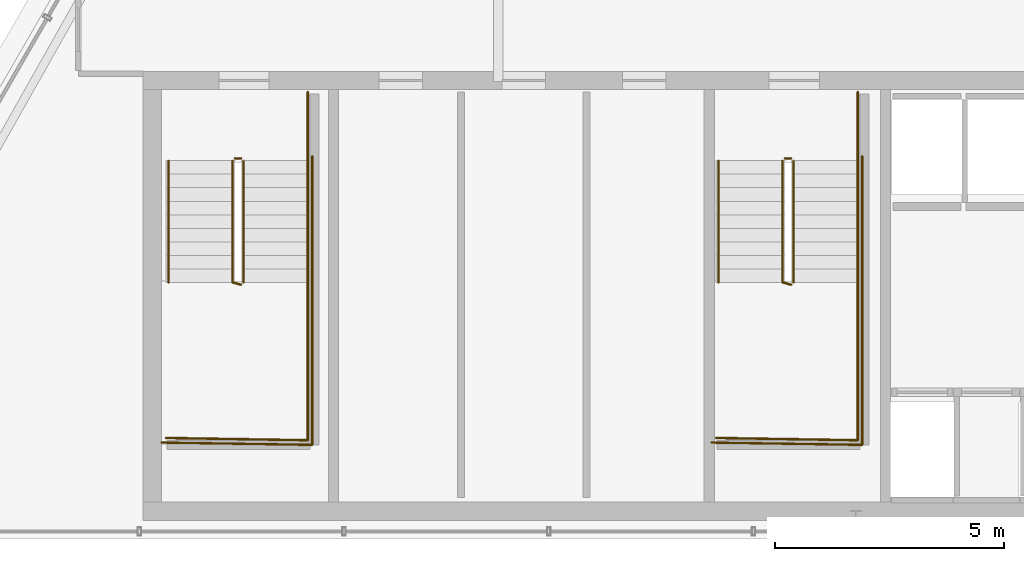
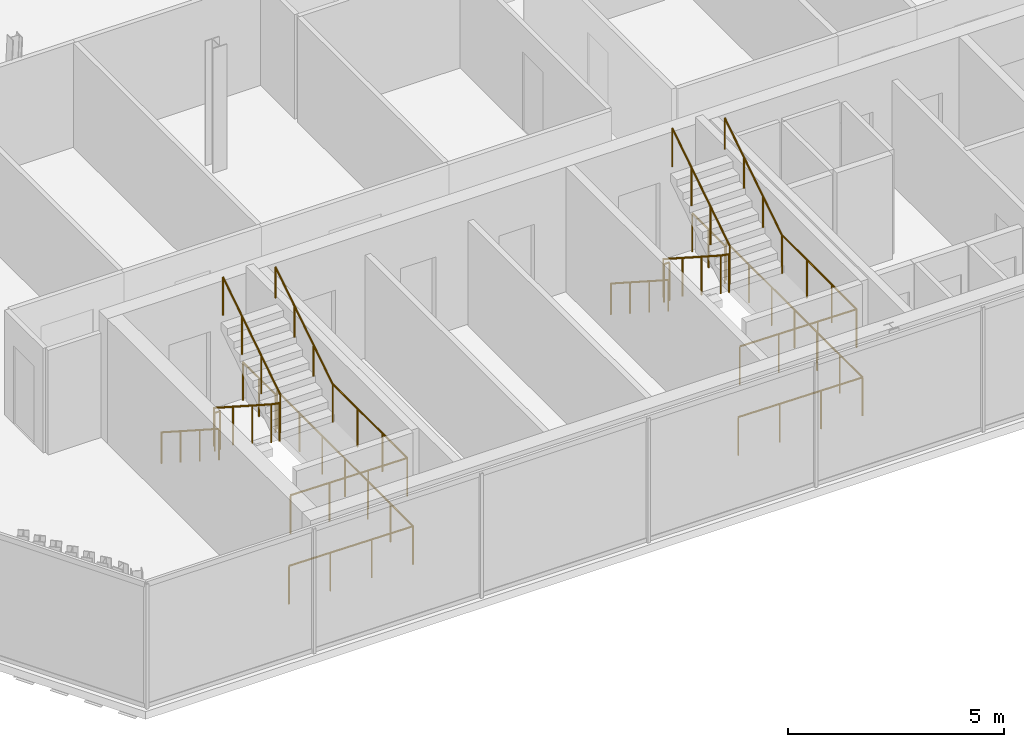
# One storey, part 30 of 32: 16 railings.
"""IFC4 building model written with IfcOpenShell, lengths in metres."""

from ifc_helpers import new_model, si_unit, direction, frame, origin, origin_2d, place, context, subcontext, project, spatial, circle, extrude, material, layer, layer_set, type_object, element, save


model = new_model("IFC4")

# Units and contexts
model_context = context("Model", 3, precision=1e-05, world=origin(), true_north=direction((0.0, 1.0)))
body_context = subcontext(model_context, "Body", "Model", "MODEL_VIEW")
ifc_project = project(units=[si_unit("LENGTHUNIT", "METRE"), si_unit("AREAUNIT", "SQUARE_METRE"), si_unit("VOLUMEUNIT", "CUBIC_METRE"), si_unit("PLANEANGLEUNIT", "RADIAN"), si_unit("MASSUNIT", "GRAM", prefix="KILO")], contexts=[model_context])

# Site, building, storey
site_placement = place(None, origin())
site = spatial("IfcSite", under=ifc_project, at=site_placement, CompositionType="ELEMENT")
building_placement = place(site_placement, origin())
building = spatial("IfcBuilding", under=site, at=building_placement, Name="Ndaravel Arena Tower", CompositionType="ELEMENT")
storey_placement = place(building_placement, frame((0.0, 0.0, 294.699951171875)))
storey = spatial("IfcBuildingStorey", under=building, at=storey_placement, Name="L72", CompositionType="ELEMENT", Elevation=294.699951171875)

# Railings
ifc_material_1 = material(Name="Steel S355", Category="steel")
ifc_layer_1 = layer(ifc_material_1, 0.06005859375)
ifc_layer_set_1 = layer_set([ifc_layer_1], Name="Steel S355")
railing_type_1 = type_object("IfcRailingType", Name="RAIL-STAIR-GD1100", PredefinedType="GUARDRAIL", material=ifc_layer_set_1)
railing_1_placement = place(storey_placement, frame((28.39990234375, 13.25, 0.18994140625)))
element("IfcRailing", 1, at=railing_1_placement, inside=storey, type_object=railing_type_1, Name="L72 ST-1 stair guard 1", PredefinedType="GUARDRAIL", context=body_context, shape_type="SweptSolid", body=[
    extrude(circle(Radius=0.02392578125, at=origin_2d()), frame((0.0, 0.0, 1.076171875), z_axis=(0.0, -0.840688348013, 0.541519253134), x_axis=(1.0, 0.0, 0.0)), (0.0, 0.0, 1.0), 3.158203125),
    extrude(circle(Radius=0.02392578125, at=origin_2d()), frame((0.0, -2.655029296875, 2.7861328125), z_axis=(0.967074537263, -0.25449329928, 0.0), x_axis=(0.25449329928, 0.967074537263, 0.0)), (0.0, 0.0, 1.0), 0.19677734375),
    extrude(circle(Radius=0.02099609375, at=origin_2d()), origin(), (0.0, 0.0, 1.0), 1.052001953125),
    extrude(circle(Radius=0.02099609375, at=origin_2d()), frame((0.0, -0.885009765625, 0.570068359375)), (0.0, 0.0, 1.0), 1.052001953125),
    extrude(circle(Radius=0.02099609375, at=origin_2d()), frame((0.0, -1.77001953125, 1.14013671875)), (0.0, 0.0, 1.0), 1.052001953125),
    extrude(circle(Radius=0.02099609375, at=origin_2d()), frame((0.0, -2.655029296875, 1.710205078125)), (0.0, 0.0, 1.0), 1.052001953125),
    extrude(circle(Radius=0.02099609375, at=origin_2d()), frame((0.190185546875, -2.705078125, 1.710205078125)), (0.0, 0.0, 1.0), 1.052001953125),
])
railing_2_placement = place(storey_placement, frame((30.0400390625, 10.594970703125, 1.900146484375)))
element("IfcRailing", 2, at=railing_2_placement, inside=storey, type_object=railing_type_1, Name="L72 ST-1 stair guard 2", PredefinedType="GUARDRAIL", context=body_context, shape_type="SweptSolid", body=[
    extrude(circle(Radius=0.02392578125, at=origin_2d()), frame((0.0, 0.0, 1.076171875), z_axis=(0.0, -1.0, 0.0), x_axis=(1.0, 0.0, 0.0)), (0.0, 0.0, 1.0), 3.445068359375),
    extrude(circle(Radius=0.02392578125, at=origin_2d()), frame((0.0, -3.445068359375, 1.076171875), z_axis=(-0.999868861343, 0.016194447071, 0.0), x_axis=(-0.016194447071, -0.999868861343, 0.0)), (0.0, 0.0, 1.0), 3.090576171875),
    extrude(circle(Radius=0.02099609375, at=origin_2d()), origin(), (0.0, 0.0, 1.0), 1.052001953125),
    extrude(circle(Radius=0.02099609375, at=origin_2d()), frame((0.0, -1.1484375, 0.0)), (0.0, 0.0, 1.0), 1.052001953125),
    extrude(circle(Radius=0.02099609375, at=origin_2d()), frame((0.0, -2.296630859375, 0.0)), (0.0, 0.0, 1.0), 1.052001953125),
    extrude(circle(Radius=0.02099609375, at=origin_2d()), frame((0.0, -3.445068359375, 0.0)), (0.0, 0.0, 1.0), 1.052001953125),
    extrude(circle(Radius=0.02099609375, at=origin_2d()), frame((-1.030029296875, -3.428466796875, 0.0)), (0.0, 0.0, 1.0), 1.052001953125),
    extrude(circle(Radius=0.02099609375, at=origin_2d()), frame((-2.06005859375, -3.41162109375, 0.0)), (0.0, 0.0, 1.0), 1.052001953125),
    extrude(circle(Radius=0.02099609375, at=origin_2d()), frame((-3.090087890625, -3.39501953125, 0.0)), (0.0, 0.0, 1.0), 1.052001953125),
])
railing_3_placement = place(storey_placement, frame((28.639892578125, 10.594970703125, 2.090087890625)))
element("IfcRailing", 3, at=railing_3_placement, inside=storey, type_object=railing_type_1, Name="L72 ST-1 stair guard 3", PredefinedType="GUARDRAIL", context=body_context, shape_type="SweptSolid", body=[
    extrude(circle(Radius=0.02392578125, at=origin_2d()), frame((0.0, 0.0, 1.076171875), z_axis=(0.0, 0.840723540582, 0.54146461409), x_axis=(-1.0, 0.0, 0.0)), (0.0, 0.0, 1.0), 3.157958984375),
    extrude(circle(Radius=0.02099609375, at=origin_2d()), origin(), (0.0, 0.0, 1.0), 1.052001953125),
    extrude(circle(Radius=0.02099609375, at=origin_2d()), frame((0.0, 0.885009765625, 0.570068359375)), (0.0, 0.0, 1.0), 1.052001953125),
    extrude(circle(Radius=0.02099609375, at=origin_2d()), frame((0.0, 1.77001953125, 1.139892578125)), (0.0, 0.0, 1.0), 1.052001953125),
    extrude(circle(Radius=0.02099609375, at=origin_2d()), frame((0.0, 2.655029296875, 1.7099609375)), (0.0, 0.0, 1.0), 1.052001953125),
])
railing_4_placement = place(storey_placement, frame((28.449951171875, 13.300048828125, 0.0)))
element("IfcRailing", 4, at=railing_4_placement, inside=storey, type_object=railing_type_1, Name="L72 ST-1 stair guard 4", PredefinedType="GUARDRAIL", context=body_context, shape_type="SweptSolid", body=[
    extrude(circle(Radius=0.02392578125, at=origin_2d()), frame((0.0, 0.0, 1.076171875), z_axis=(1.0, 0.0, 0.0), x_axis=(0.0, 1.0, 0.0)), (0.0, 0.0, 1.0), 0.14013671875),
    extrude(circle(Radius=0.02099609375, at=origin_2d()), origin(), (0.0, 0.0, 1.0), 1.052001953125),
    extrude(circle(Radius=0.02099609375, at=origin_2d()), frame((0.14013671875, 0.0, 0.0)), (0.0, 0.0, 1.0), 1.052001953125),
])
railing_5_placement = place(storey_placement, frame((30.0400390625, 14.75, 0.0)))
element("IfcRailing", 5, at=railing_5_placement, inside=storey, type_object=railing_type_1, Name="L72 ST-1 stair guard 5", PredefinedType="GUARDRAIL", context=body_context, shape_type="SweptSolid", body=[
    extrude(circle(Radius=0.02392578125, at=origin_2d()), frame((0.0, 0.0, 1.076171875), z_axis=(0.0, -1.0, 0.0), x_axis=(1.0, 0.0, 0.0)), (0.0, 0.0, 1.0), 1.5),
    extrude(circle(Radius=0.02099609375, at=origin_2d()), origin(), (0.0, 0.0, 1.0), 1.052001953125),
    extrude(circle(Radius=0.02099609375, at=origin_2d()), frame((0.0, -0.75, 0.0)), (0.0, 0.0, 1.0), 1.052001953125),
    extrude(circle(Radius=0.02099609375, at=origin_2d()), frame((0.0, -1.5, 0.0)), (0.0, 0.0, 1.0), 1.052001953125),
])
railing_6_placement = place(storey_placement, frame((30.139892578125, 13.35009765625, 0.0)))
element("IfcRailing", 6, at=railing_6_placement, inside=storey, type_object=railing_type_1, Name="L72 ST-1 stair guard 6", PredefinedType="GUARDRAIL", context=body_context, shape_type="SweptSolid", body=[
    extrude(circle(Radius=0.02392578125, at=origin_2d()), frame((0.0, 0.0, 1.076171875), z_axis=(0.0, -1.0, 0.0), x_axis=(1.0, 0.0, 0.0)), (0.0, 0.0, 1.0), 6.300048828125),
    extrude(circle(Radius=0.02392578125, at=origin_2d()), frame((0.0, -6.300048828125, 1.076171875), z_axis=(-0.999884296952, 0.015211597839, 0.0), x_axis=(-0.015211597839, -0.999884296952, 0.0)), (0.0, 0.0, 1.0), 3.290283203125),
    extrude(circle(Radius=0.02099609375, at=origin_2d()), origin(), (0.0, 0.0, 1.0), 1.052001953125),
    extrude(circle(Radius=0.02099609375, at=origin_2d()), frame((0.0, -1.050048828125, 0.0)), (0.0, 0.0, 1.0), 1.052001953125),
    extrude(circle(Radius=0.02099609375, at=origin_2d()), frame((0.0, -2.10009765625, 0.0)), (0.0, 0.0, 1.0), 1.052001953125),
    extrude(circle(Radius=0.02099609375, at=origin_2d()), frame((0.0, -3.14990234375, 0.0)), (0.0, 0.0, 1.0), 1.052001953125),
    extrude(circle(Radius=0.02099609375, at=origin_2d()), frame((0.0, -4.199951171875, 0.0)), (0.0, 0.0, 1.0), 1.052001953125),
    extrude(circle(Radius=0.02099609375, at=origin_2d()), frame((0.0, -5.25, 0.0)), (0.0, 0.0, 1.0), 1.052001953125),
    extrude(circle(Radius=0.02099609375, at=origin_2d()), frame((0.0, -6.300048828125, 0.0)), (0.0, 0.0, 1.0), 1.052001953125),
    extrude(circle(Radius=0.02099609375, at=origin_2d()), frame((-1.0966796875, -6.283447265625, 0.0)), (0.0, 0.0, 1.0), 1.052001953125),
    extrude(circle(Radius=0.02099609375, at=origin_2d()), frame((-2.193115234375, -6.2666015625, 0.0)), (0.0, 0.0, 1.0), 1.052001953125),
    extrude(circle(Radius=0.02099609375, at=origin_2d()), frame((-3.289794921875, -6.25, 0.0)), (0.0, 0.0, 1.0), 1.052001953125),
])
railing_7_placement = place(storey_placement, frame((40.39990234375, 13.25, 0.18994140625)))
element("IfcRailing", 7, at=railing_7_placement, inside=storey, type_object=railing_type_1, Name="L72 ST-2 stair guard 1", PredefinedType="GUARDRAIL", context=body_context, shape_type="SweptSolid", body=[
    extrude(circle(Radius=0.02392578125, at=origin_2d()), frame((0.0, 0.0, 1.076171875), z_axis=(0.0, -0.840688348013, 0.541519253134), x_axis=(1.0, 0.0, 0.0)), (0.0, 0.0, 1.0), 3.158203125),
    extrude(circle(Radius=0.02392578125, at=origin_2d()), frame((0.0, -2.655029296875, 2.7861328125), z_axis=(0.967074537263, -0.25449329928, 0.0), x_axis=(0.25449329928, 0.967074537263, 0.0)), (0.0, 0.0, 1.0), 0.19677734375),
    extrude(circle(Radius=0.02099609375, at=origin_2d()), origin(), (0.0, 0.0, 1.0), 1.052001953125),
    extrude(circle(Radius=0.02099609375, at=origin_2d()), frame((0.0, -0.885009765625, 0.570068359375)), (0.0, 0.0, 1.0), 1.052001953125),
    extrude(circle(Radius=0.02099609375, at=origin_2d()), frame((0.0, -1.77001953125, 1.14013671875)), (0.0, 0.0, 1.0), 1.052001953125),
    extrude(circle(Radius=0.02099609375, at=origin_2d()), frame((0.0, -2.655029296875, 1.710205078125)), (0.0, 0.0, 1.0), 1.052001953125),
    extrude(circle(Radius=0.02099609375, at=origin_2d()), frame((0.190185546875, -2.705078125, 1.710205078125)), (0.0, 0.0, 1.0), 1.052001953125),
])
railing_8_placement = place(storey_placement, frame((42.0400390625, 10.594970703125, 1.900146484375)))
element("IfcRailing", 8, at=railing_8_placement, inside=storey, type_object=railing_type_1, Name="L72 ST-2 stair guard 2", PredefinedType="GUARDRAIL", context=body_context, shape_type="SweptSolid", body=[
    extrude(circle(Radius=0.02392578125, at=origin_2d()), frame((0.0, 0.0, 1.076171875), z_axis=(0.0, -1.0, 0.0), x_axis=(1.0, 0.0, 0.0)), (0.0, 0.0, 1.0), 3.445068359375),
    extrude(circle(Radius=0.02392578125, at=origin_2d()), frame((0.0, -3.445068359375, 1.076171875), z_axis=(-0.999868861343, 0.016194447071, 0.0), x_axis=(-0.016194447071, -0.999868861343, 0.0)), (0.0, 0.0, 1.0), 3.090576171875),
    extrude(circle(Radius=0.02099609375, at=origin_2d()), origin(), (0.0, 0.0, 1.0), 1.052001953125),
    extrude(circle(Radius=0.02099609375, at=origin_2d()), frame((0.0, -1.1484375, 0.0)), (0.0, 0.0, 1.0), 1.052001953125),
    extrude(circle(Radius=0.02099609375, at=origin_2d()), frame((0.0, -2.296630859375, 0.0)), (0.0, 0.0, 1.0), 1.052001953125),
    extrude(circle(Radius=0.02099609375, at=origin_2d()), frame((0.0, -3.445068359375, 0.0)), (0.0, 0.0, 1.0), 1.052001953125),
    extrude(circle(Radius=0.02099609375, at=origin_2d()), frame((-1.030029296875, -3.428466796875, 0.0)), (0.0, 0.0, 1.0), 1.052001953125),
    extrude(circle(Radius=0.02099609375, at=origin_2d()), frame((-2.06005859375, -3.41162109375, 0.0)), (0.0, 0.0, 1.0), 1.052001953125),
    extrude(circle(Radius=0.02099609375, at=origin_2d()), frame((-3.090087890625, -3.39501953125, 0.0)), (0.0, 0.0, 1.0), 1.052001953125),
])
railing_9_placement = place(storey_placement, frame((40.639892578125, 10.594970703125, 2.090087890625)))
element("IfcRailing", 9, at=railing_9_placement, inside=storey, type_object=railing_type_1, Name="L72 ST-2 stair guard 3", PredefinedType="GUARDRAIL", context=body_context, shape_type="SweptSolid", body=[
    extrude(circle(Radius=0.02392578125, at=origin_2d()), frame((0.0, 0.0, 1.076171875), z_axis=(0.0, 0.840723540582, 0.54146461409), x_axis=(-1.0, 0.0, 0.0)), (0.0, 0.0, 1.0), 3.157958984375),
    extrude(circle(Radius=0.02099609375, at=origin_2d()), origin(), (0.0, 0.0, 1.0), 1.052001953125),
    extrude(circle(Radius=0.02099609375, at=origin_2d()), frame((0.0, 0.885009765625, 0.570068359375)), (0.0, 0.0, 1.0), 1.052001953125),
    extrude(circle(Radius=0.02099609375, at=origin_2d()), frame((0.0, 1.77001953125, 1.139892578125)), (0.0, 0.0, 1.0), 1.052001953125),
    extrude(circle(Radius=0.02099609375, at=origin_2d()), frame((0.0, 2.655029296875, 1.7099609375)), (0.0, 0.0, 1.0), 1.052001953125),
])
railing_10_placement = place(storey_placement, frame((40.449951171875, 13.300048828125, 0.0)))
element("IfcRailing", 10, at=railing_10_placement, inside=storey, type_object=railing_type_1, Name="L72 ST-2 stair guard 4", PredefinedType="GUARDRAIL", context=body_context, shape_type="SweptSolid", body=[
    extrude(circle(Radius=0.02392578125, at=origin_2d()), frame((0.0, 0.0, 1.076171875), z_axis=(1.0, 0.0, 0.0), x_axis=(0.0, 1.0, 0.0)), (0.0, 0.0, 1.0), 0.14013671875),
    extrude(circle(Radius=0.02099609375, at=origin_2d()), origin(), (0.0, 0.0, 1.0), 1.052001953125),
    extrude(circle(Radius=0.02099609375, at=origin_2d()), frame((0.14013671875, 0.0, 0.0)), (0.0, 0.0, 1.0), 1.052001953125),
])
railing_11_placement = place(storey_placement, frame((42.0400390625, 14.75, 0.0)))
element("IfcRailing", 11, at=railing_11_placement, inside=storey, type_object=railing_type_1, Name="L72 ST-2 stair guard 5", PredefinedType="GUARDRAIL", context=body_context, shape_type="SweptSolid", body=[
    extrude(circle(Radius=0.02392578125, at=origin_2d()), frame((0.0, 0.0, 1.076171875), z_axis=(0.0, -1.0, 0.0), x_axis=(1.0, 0.0, 0.0)), (0.0, 0.0, 1.0), 1.5),
    extrude(circle(Radius=0.02099609375, at=origin_2d()), origin(), (0.0, 0.0, 1.0), 1.052001953125),
    extrude(circle(Radius=0.02099609375, at=origin_2d()), frame((0.0, -0.75, 0.0)), (0.0, 0.0, 1.0), 1.052001953125),
    extrude(circle(Radius=0.02099609375, at=origin_2d()), frame((0.0, -1.5, 0.0)), (0.0, 0.0, 1.0), 1.052001953125),
])
railing_12_placement = place(storey_placement, frame((42.139892578125, 13.35009765625, 0.0)))
element("IfcRailing", 12, at=railing_12_placement, inside=storey, type_object=railing_type_1, Name="L72 ST-2 stair guard 6", PredefinedType="GUARDRAIL", context=body_context, shape_type="SweptSolid", body=[
    extrude(circle(Radius=0.02392578125, at=origin_2d()), frame((0.0, 0.0, 1.076171875), z_axis=(0.0, -1.0, 0.0), x_axis=(1.0, 0.0, 0.0)), (0.0, 0.0, 1.0), 6.300048828125),
    extrude(circle(Radius=0.02392578125, at=origin_2d()), frame((0.0, -6.300048828125, 1.076171875), z_axis=(-0.999884296952, 0.015211597839, 0.0), x_axis=(-0.015211597839, -0.999884296952, 0.0)), (0.0, 0.0, 1.0), 3.290283203125),
    extrude(circle(Radius=0.02099609375, at=origin_2d()), origin(), (0.0, 0.0, 1.0), 1.052001953125),
    extrude(circle(Radius=0.02099609375, at=origin_2d()), frame((0.0, -1.050048828125, 0.0)), (0.0, 0.0, 1.0), 1.052001953125),
    extrude(circle(Radius=0.02099609375, at=origin_2d()), frame((0.0, -2.10009765625, 0.0)), (0.0, 0.0, 1.0), 1.052001953125),
    extrude(circle(Radius=0.02099609375, at=origin_2d()), frame((0.0, -3.14990234375, 0.0)), (0.0, 0.0, 1.0), 1.052001953125),
    extrude(circle(Radius=0.02099609375, at=origin_2d()), frame((0.0, -4.199951171875, 0.0)), (0.0, 0.0, 1.0), 1.052001953125),
    extrude(circle(Radius=0.02099609375, at=origin_2d()), frame((0.0, -5.25, 0.0)), (0.0, 0.0, 1.0), 1.052001953125),
    extrude(circle(Radius=0.02099609375, at=origin_2d()), frame((0.0, -6.300048828125, 0.0)), (0.0, 0.0, 1.0), 1.052001953125),
    extrude(circle(Radius=0.02099609375, at=origin_2d()), frame((-1.0966796875, -6.283447265625, 0.0)), (0.0, 0.0, 1.0), 1.052001953125),
    extrude(circle(Radius=0.02099609375, at=origin_2d()), frame((-2.193115234375, -6.2666015625, 0.0)), (0.0, 0.0, 1.0), 1.052001953125),
    extrude(circle(Radius=0.02099609375, at=origin_2d()), frame((-3.289794921875, -6.25, 0.0)), (0.0, 0.0, 1.0), 1.052001953125),
])
ifc_material_2 = material(Name="Steel S355", Category="steel")
ifc_layer_2 = layer(ifc_material_2, 0.050048828125)
ifc_layer_set_2 = layer_set([ifc_layer_2], Name="Steel S355")
railing_type_2 = type_object("IfcRailingType", Name="RAIL-STAIR-HR920", PredefinedType="HANDRAIL", material=ifc_layer_set_2)
railing_13_placement = place(storey_placement, frame((27.0, 13.25, 0.18994140625)))
element("IfcRailing", 13, at=railing_13_placement, inside=storey, type_object=railing_type_2, Name="L72 ST-1 stair handrail 1", PredefinedType="HANDRAIL", context=body_context, shape_type="SweptSolid", body=[
    extrude(circle(Radius=0.02392578125, at=origin_2d()), frame((0.0, 0.0, 0.8759765625), z_axis=(0.0, -0.840688348013, 0.541519253134), x_axis=(1.0, 0.0, 0.0)), (0.0, 0.0, 1.0), 3.158203125),
    extrude(circle(Radius=0.02099609375, at=origin_2d()), origin(), (0.0, 0.0, 1.0), 0.851806640625),
    extrude(circle(Radius=0.02099609375, at=origin_2d()), frame((0.0, -0.885009765625, 0.570068359375)), (0.0, 0.0, 1.0), 0.851806640625),
    extrude(circle(Radius=0.02099609375, at=origin_2d()), frame((0.0, -1.77001953125, 1.14013671875)), (0.0, 0.0, 1.0), 0.851806640625),
    extrude(circle(Radius=0.02099609375, at=origin_2d()), frame((0.0, -2.655029296875, 1.710205078125)), (0.0, 0.0, 1.0), 0.851806640625),
])
railing_14_placement = place(storey_placement, frame((30.0400390625, 10.594970703125, 2.090087890625)))
element("IfcRailing", 14, at=railing_14_placement, inside=storey, type_object=railing_type_2, Name="L72 ST-1 stair handrail 2", PredefinedType="HANDRAIL", context=body_context, shape_type="SweptSolid", body=[
    extrude(circle(Radius=0.02392578125, at=origin_2d()), frame((0.0, 0.0, 0.8759765625), z_axis=(0.0, 0.840723540582, 0.54146461409), x_axis=(-1.0, 0.0, 0.0)), (0.0, 0.0, 1.0), 3.157958984375),
    extrude(circle(Radius=0.02099609375, at=origin_2d()), origin(), (0.0, 0.0, 1.0), 0.851806640625),
    extrude(circle(Radius=0.02099609375, at=origin_2d()), frame((0.0, 0.885009765625, 0.570068359375)), (0.0, 0.0, 1.0), 0.851806640625),
    extrude(circle(Radius=0.02099609375, at=origin_2d()), frame((0.0, 1.77001953125, 1.139892578125)), (0.0, 0.0, 1.0), 0.851806640625),
    extrude(circle(Radius=0.02099609375, at=origin_2d()), frame((0.0, 2.655029296875, 1.7099609375)), (0.0, 0.0, 1.0), 0.851806640625),
])
railing_15_placement = place(storey_placement, frame((39.0, 13.25, 0.18994140625)))
element("IfcRailing", 15, at=railing_15_placement, inside=storey, type_object=railing_type_2, Name="L72 ST-2 stair handrail 1", PredefinedType="HANDRAIL", context=body_context, shape_type="SweptSolid", body=[
    extrude(circle(Radius=0.02392578125, at=origin_2d()), frame((0.0, 0.0, 0.8759765625), z_axis=(0.0, -0.840688348013, 0.541519253134), x_axis=(1.0, 0.0, 0.0)), (0.0, 0.0, 1.0), 3.158203125),
    extrude(circle(Radius=0.02099609375, at=origin_2d()), origin(), (0.0, 0.0, 1.0), 0.851806640625),
    extrude(circle(Radius=0.02099609375, at=origin_2d()), frame((0.0, -0.885009765625, 0.570068359375)), (0.0, 0.0, 1.0), 0.851806640625),
    extrude(circle(Radius=0.02099609375, at=origin_2d()), frame((0.0, -1.77001953125, 1.14013671875)), (0.0, 0.0, 1.0), 0.851806640625),
    extrude(circle(Radius=0.02099609375, at=origin_2d()), frame((0.0, -2.655029296875, 1.710205078125)), (0.0, 0.0, 1.0), 0.851806640625),
])
railing_16_placement = place(storey_placement, frame((42.0400390625, 10.594970703125, 2.090087890625)))
element("IfcRailing", 16, at=railing_16_placement, inside=storey, type_object=railing_type_2, Name="L72 ST-2 stair handrail 2", PredefinedType="HANDRAIL", context=body_context, shape_type="SweptSolid", body=[
    extrude(circle(Radius=0.02392578125, at=origin_2d()), frame((0.0, 0.0, 0.8759765625), z_axis=(0.0, 0.840723540582, 0.54146461409), x_axis=(-1.0, 0.0, 0.0)), (0.0, 0.0, 1.0), 3.157958984375),
    extrude(circle(Radius=0.02099609375, at=origin_2d()), origin(), (0.0, 0.0, 1.0), 0.851806640625),
    extrude(circle(Radius=0.02099609375, at=origin_2d()), frame((0.0, 0.885009765625, 0.570068359375)), (0.0, 0.0, 1.0), 0.851806640625),
    extrude(circle(Radius=0.02099609375, at=origin_2d()), frame((0.0, 1.77001953125, 1.139892578125)), (0.0, 0.0, 1.0), 0.851806640625),
    extrude(circle(Radius=0.02099609375, at=origin_2d()), frame((0.0, 2.655029296875, 1.7099609375)), (0.0, 0.0, 1.0), 0.851806640625),
])

save(model, "model.ifc")
